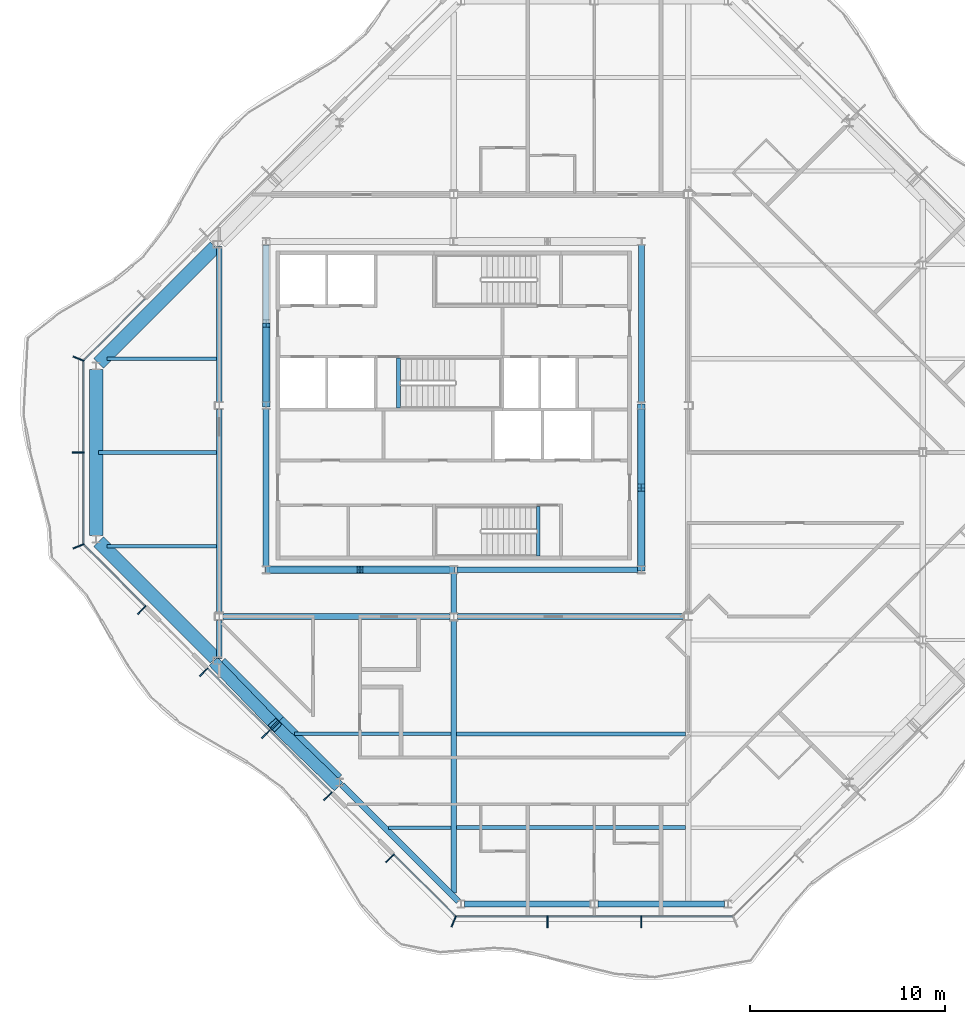
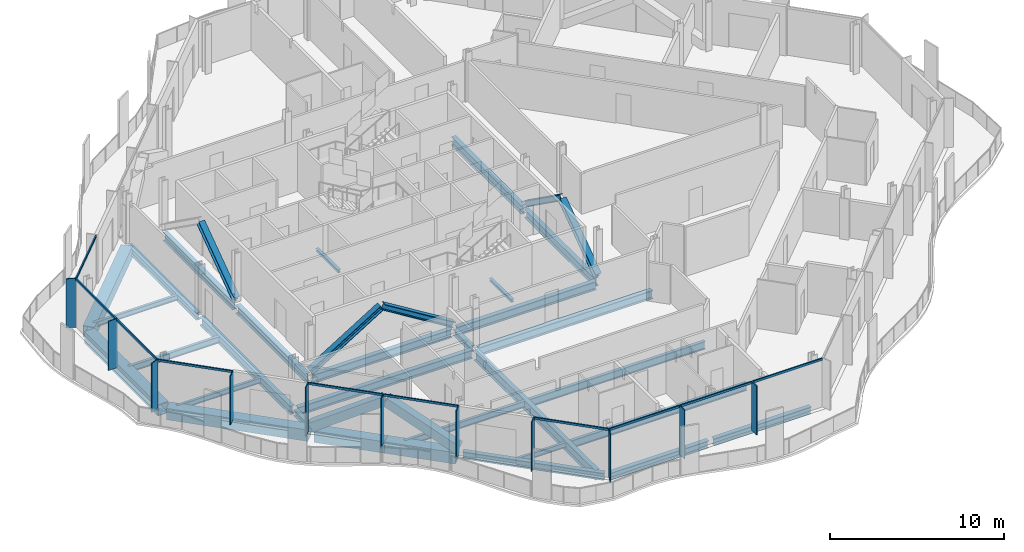
# One storey, part 3 of 17: 30 beams, 28 members, 4 elements without a shape of their own.
"""IFC4 building model written with IfcOpenShell, lengths in metres."""

from ifc_helpers import new_model, si_unit, direction, frame, origin, origin_2d, place, context, subcontext, project, spatial, rectangle, hollow_rectangle, i_section, extrude, material, material_profile, profile_set, type_object, element, aggregate, save


model = new_model("IFC4")

# Units and contexts
model_context = context("Model", 3, precision=1e-05, world=origin(), true_north=direction((0.0, 1.0)))
body_context = subcontext(model_context, "Body", "Model", "MODEL_VIEW")
ifc_project = project(units=[si_unit("LENGTHUNIT", "METRE"), si_unit("AREAUNIT", "SQUARE_METRE"), si_unit("VOLUMEUNIT", "CUBIC_METRE"), si_unit("PLANEANGLEUNIT", "RADIAN"), si_unit("MASSUNIT", "GRAM", prefix="KILO")], contexts=[model_context])

# Site, building, storey
site_placement = place(None, origin())
site = spatial("IfcSite", under=ifc_project, at=site_placement, CompositionType="ELEMENT")
building_placement = place(site_placement, origin())
building = spatial("IfcBuilding", under=site, at=building_placement, Name="Cairn Pilgrim Tower", CompositionType="ELEMENT")
storey_placement = place(building_placement, frame((0.0, 0.0, 270.60009765625)))
storey = spatial("IfcBuildingStorey", under=building, at=storey_placement, Name="L69", CompositionType="ELEMENT", Elevation=270.60009765625)

# Members
ifc_material_1 = material(Name="Structural steel S460M", Category="steel")
ifc_material_profile_1 = material_profile(ifc_material_1, hollow_rectangle(XDim=0.60009765625, YDim=0.60009765625, WallThickness=0.034912109375, at=origin_2d()), Name="BOX 600x600x35")
ifc_profile_set_1 = profile_set([ifc_material_profile_1], Name="Structural steel S460M")
member_type_1 = type_object("IfcMemberType", Name="BOX 600x600x35 BRACE", PredefinedType="BRACE", material=ifc_profile_set_1)
for number, where, z_axis, x_axis, name in (
    (1, (-4.9921875, -10.80908203125, 0.14990234375), (0.592528264357, -0.612497315066, 0.523218209713), (0.718725903967, 0.695293517132, 0.0), "XB-SW2-SW3-1"),
    (2, (1.19091796875, -16.9921875, 0.14990234375), (-0.612497315066, 0.592528264357, 0.523218209713), (-0.695293517132, -0.718725903967, 0.0), "XB-SW2-SW3-2"),
):
    element("IfcMember", number, at=place(storey_placement, frame(where, z_axis=z_axis, x_axis=x_axis)), inside=storey, type_object=member_type_1, Name=name, PredefinedType="BRACE", context=body_context, shape_type="SweptSolid", body=[
        extrude(hollow_rectangle(XDim=0.60009765625, YDim=0.60009765625, WallThickness=0.034912109375, at=origin_2d()), origin(), (0.0, 0.0, 1.0), 5.037109375),
    ])

# Beams
ifc_material_2 = material(Name="Structural steel S355J2", Category="steel")
ifc_material_profile_2 = material_profile(ifc_material_2, hollow_rectangle(XDim=0.699951171875, YDim=0.800048828125, WallThickness=0.0400390625, at=origin_2d()), Name="BOX 700x800x40")
ifc_profile_set_2 = profile_set([ifc_material_profile_2], Name="Structural steel S355J2")
beam_type_1 = type_object("IfcBeamType", Name="BOX 700x800x40 RING GIRDER", PredefinedType="SPANDREL", material=ifc_profile_set_2)
beam_1_placement = place(storey_placement, frame((-5.002685546875, 10.5244140625, -0.550048828125), z_axis=(-0.707106781187, -0.707106781187, 0.0), x_axis=(0.707106781187, -0.707106781187, 0.0)))
element("IfcBeam", 3, at=beam_1_placement, inside=storey, type_object=beam_type_1, Name="RG4-NW3-W1", PredefinedType="SPANDREL", context=body_context, shape_type="SweptSolid", body=[
    extrude(hollow_rectangle(XDim=0.699951171875, YDim=0.800048828125, WallThickness=0.0400390625, at=origin_2d()), origin(), (0.0, 0.0, 1.0), 8.443115234375),
])
beam_2_placement = place(storey_placement, frame((-11.10009765625, 4.247802734375, -0.550048828125), z_axis=(0.0, -1.0, 0.0), x_axis=(1.0, 0.0, 0.0)))
element("IfcBeam", 4, at=beam_2_placement, inside=storey, type_object=beam_type_1, Name="RG4-W1-SW1", PredefinedType="SPANDREL", context=body_context, shape_type="SweptSolid", body=[
    extrude(hollow_rectangle(XDim=0.699951171875, YDim=0.800048828125, WallThickness=0.0400390625, at=origin_2d()), origin(), (0.0, 0.0, 1.0), 8.49560546875),
])
beam_3_placement = place(storey_placement, frame((-10.972900390625, -4.55419921875, -0.550048828125), z_axis=(0.707106781187, -0.707106781187, 0.0), x_axis=(0.707106781187, 0.707106781187, 0.0)))
element("IfcBeam", 5, at=beam_3_placement, inside=storey, type_object=beam_type_1, Name="RG4-SW1-SW2", PredefinedType="SPANDREL", context=body_context, shape_type="SweptSolid", body=[
    extrude(hollow_rectangle(XDim=0.699951171875, YDim=0.800048828125, WallThickness=0.0400390625, at=origin_2d()), origin(), (0.0, 0.0, 1.0), 8.443115234375),
])
for number, where, z_axis, x_axis, name in (
    (6, (-4.748779296875, -10.7783203125, -0.550048828125), (0.707077865986, -0.707135695205, 0.0), (0.707135695205, 0.707077865986, 0.0), "RG4-SW2-SW3-1"),
    (7, (-1.763671875, -13.763671875, -0.550048828125), (0.707135695205, -0.707077865986, 0.0), (0.707077865986, 0.707135695205, 0.0), "RG4-SW2-SW3-2"),
):
    element("IfcBeam", number, at=place(storey_placement, frame(where, z_axis=z_axis, x_axis=x_axis)), inside=storey, type_object=beam_type_1, Name=name, PredefinedType="SPANDREL", context=body_context, shape_type="SweptSolid", body=[
        extrude(hollow_rectangle(XDim=0.699951171875, YDim=0.800048828125, WallThickness=0.0400390625, at=origin_2d()), origin(), (0.0, 0.0, 1.0), 4.2216796875),
    ])

# Curtain wall, members
ifc_material_3 = material(Name="Aluminium alloy 6063-T6 bronze anodised with Bronze tinted laminated low-E glass 8+16+8.8", Category="aluminium")
curtain_wall_type = type_object("IfcCurtainWallType", Name="CROWN CURTAIN WALL", PredefinedType="NOTDEFINED", material=ifc_material_3)
curtain_wall_1_placement = place(storey_placement, origin())
curtain_wall_1 = element("IfcCurtainWall", 8, at=curtain_wall_1_placement, inside=storey, type_object=curtain_wall_type, Name="Crown Curtain Wall S", PredefinedType="NOTDEFINED")
ifc_material_4 = material(Name="Aluminium alloy 6063-T6 bronze anodised", Category="aluminium")
ifc_material_profile_3 = material_profile(ifc_material_4, rectangle(XDim=0.60009765625, YDim=0.06005859375, at=origin_2d()), Name="FIN MULLION 60x600 BRONZE")
ifc_profile_set_3 = profile_set([ifc_material_profile_3], Name="Aluminium alloy 6063-T6 bronze anodised")
member_type_2 = type_object("IfcMemberType", Name="FIN MULLION 60x600 BRONZE", PredefinedType="MULLION", material=ifc_profile_set_3)
member_1_placement = place(storey_placement, frame((7.2001953125, -23.99951171875, 0.0), z_axis=(0.0, 0.0, 1.0), x_axis=(-0.382683432365, -0.923879532511, 0.0)))
member_1 = element("IfcMember", 9, at=member_1_placement, type_object=member_type_2, Name="Fin mullion S1", PredefinedType="MULLION", context=body_context, shape_type="SweptSolid", body=[
    extrude(rectangle(XDim=0.60009765625, YDim=0.06005859375, at=origin_2d()), origin(), (0.0, 0.0, 1.0), 3.449951171875),
])
member_2_placement = place(storey_placement, frame((12.0, -24.02001953125, 0.0), z_axis=(0.0, 0.0, 1.0), x_axis=(0.0, -1.0, 0.0)))
member_2 = element("IfcMember", 10, at=member_2_placement, type_object=member_type_2, Name="Fin mullion S2", PredefinedType="MULLION", context=body_context, shape_type="SweptSolid", body=[
    extrude(rectangle(XDim=0.60009765625, YDim=0.06005859375, at=origin_2d()), origin(), (0.0, 0.0, 1.0), 3.449951171875),
])
member_3_placement = place(storey_placement, frame((16.800048828125, -24.02001953125, 0.0), z_axis=(0.0, 0.0, 1.0), x_axis=(0.0, -1.0, 0.0)))
member_3 = element("IfcMember", 11, at=member_3_placement, type_object=member_type_2, Name="Fin mullion S3", PredefinedType="MULLION", context=body_context, shape_type="SweptSolid", body=[
    extrude(rectangle(XDim=0.60009765625, YDim=0.06005859375, at=origin_2d()), origin(), (0.0, 0.0, 1.0), 3.449951171875),
])

curtain_wall_2_placement = place(storey_placement, origin())
curtain_wall_2 = element("IfcCurtainWall", 12, at=curtain_wall_2_placement, inside=storey, type_object=curtain_wall_type, Name="Crown Curtain Wall W", PredefinedType="NOTDEFINED")
member_4_placement = place(storey_placement, frame((-11.99951171875, 4.7998046875, 0.0), z_axis=(0.0, 0.0, 1.0), x_axis=(-0.923879532511, 0.382683432365, 0.0)))
member_4 = element("IfcMember", 13, at=member_4_placement, type_object=member_type_2, Name="Fin mullion W1", PredefinedType="MULLION", context=body_context, shape_type="SweptSolid", body=[
    extrude(rectangle(XDim=0.60009765625, YDim=0.06005859375, at=origin_2d()), origin(), (0.0, 0.0, 1.0), 3.449951171875),
])
member_5_placement = place(storey_placement, frame((-12.02001953125, 0.0, 0.0), z_axis=(0.0, 0.0, 1.0), x_axis=(-1.0, 0.0, 0.0)))
member_5 = element("IfcMember", 14, at=member_5_placement, type_object=member_type_2, Name="Fin mullion W2", PredefinedType="MULLION", context=body_context, shape_type="SweptSolid", body=[
    extrude(rectangle(XDim=0.60009765625, YDim=0.06005859375, at=origin_2d()), origin(), (0.0, 0.0, 1.0), 3.449951171875),
])

curtain_wall_3_placement = place(storey_placement, origin())
curtain_wall_3 = element("IfcCurtainWall", 15, at=curtain_wall_3_placement, inside=storey, type_object=curtain_wall_type, Name="Crown Curtain Wall SW", PredefinedType="NOTDEFINED")
member_6_placement = place(storey_placement, frame((-11.99951171875, -4.7998046875, 0.0), z_axis=(0.0, 0.0, 1.0), x_axis=(-0.923879532511, -0.382683432365, 0.0)))
member_6 = element("IfcMember", 16, at=member_6_placement, type_object=member_type_2, Name="Fin mullion SW1", PredefinedType="MULLION", context=body_context, shape_type="SweptSolid", body=[
    extrude(rectangle(XDim=0.60009765625, YDim=0.06005859375, at=origin_2d()), origin(), (0.0, 0.0, 1.0), 3.449951171875),
])
member_7_placement = place(storey_placement, frame((-8.765380859375, -8.06298828125, 0.0), z_axis=(0.0, 0.0, 1.0), x_axis=(-0.707106781187, -0.707106781187, 0.0)))
member_7 = element("IfcMember", 17, at=member_7_placement, type_object=member_type_2, Name="Fin mullion SW2", PredefinedType="MULLION", context=body_context, shape_type="SweptSolid", body=[
    extrude(rectangle(XDim=0.60009765625, YDim=0.06005859375, at=origin_2d()), origin(), (0.0, 0.0, 1.0), 3.449951171875),
])
member_8_placement = place(storey_placement, frame((-5.58984375, -11.238525390625, 0.0), z_axis=(0.0, 0.0, 1.0), x_axis=(-0.707106781187, -0.707106781187, 0.0)))
member_8 = element("IfcMember", 18, at=member_8_placement, type_object=member_type_2, Name="Fin mullion SW3", PredefinedType="MULLION", context=body_context, shape_type="SweptSolid", body=[
    extrude(rectangle(XDim=0.60009765625, YDim=0.06005859375, at=origin_2d()), origin(), (0.0, 0.0, 1.0), 3.449951171875),
])
member_9_placement = place(storey_placement, frame((-2.4140625, -14.4140625, 0.0), z_axis=(0.0, 0.0, 1.0), x_axis=(-0.707106781187, -0.707106781187, 0.0)))
member_9 = element("IfcMember", 19, at=member_9_placement, type_object=member_type_2, Name="Fin mullion SW4", PredefinedType="MULLION", context=body_context, shape_type="SweptSolid", body=[
    extrude(rectangle(XDim=0.60009765625, YDim=0.06005859375, at=origin_2d()), origin(), (0.0, 0.0, 1.0), 3.449951171875),
])
member_10_placement = place(storey_placement, frame((0.761474609375, -17.58984375, 0.0), z_axis=(0.0, 0.0, 1.0), x_axis=(-0.707106781187, -0.707106781187, 0.0)))
member_10 = element("IfcMember", 20, at=member_10_placement, type_object=member_type_2, Name="Fin mullion SW5", PredefinedType="MULLION", context=body_context, shape_type="SweptSolid", body=[
    extrude(rectangle(XDim=0.60009765625, YDim=0.06005859375, at=origin_2d()), origin(), (0.0, 0.0, 1.0), 3.449951171875),
])
member_11_placement = place(storey_placement, frame((3.93701171875, -20.765380859375, 0.0), z_axis=(0.0, 0.0, 1.0), x_axis=(-0.707106781187, -0.707106781187, 0.0)))
member_11 = element("IfcMember", 21, at=member_11_placement, type_object=member_type_2, Name="Fin mullion SW6", PredefinedType="MULLION", context=body_context, shape_type="SweptSolid", body=[
    extrude(rectangle(XDim=0.60009765625, YDim=0.06005859375, at=origin_2d()), origin(), (0.0, 0.0, 1.0), 3.449951171875),
])

# Members
ifc_material_profile_4 = material_profile(ifc_material_2, i_section(OverallWidth=0.39794921875, OverallDepth=0.386962890625, WebThickness=0.02099609375, FlangeThickness=0.033203125, FilletRadius=0.014892578125, at=origin_2d()), Name="HD 400x262")
ifc_profile_set_4 = profile_set([ifc_material_profile_4], Name="Structural steel S355J2")
member_type_3 = type_object("IfcMemberType", Name="HD 400x262 BRACE", PredefinedType="BRACE", material=ifc_profile_set_4)
for number, where, z_axis, x_axis, name in (
    (22, (-2.360107421875, -6.0, 0.099853515625), (0.851197168056, 0.0, 0.524846054661), (0.0, 1.0, 0.0), "KB-1A"),
    (23, (7.16015625, -6.0, 0.099853515625), (-0.851197168056, 0.0, 0.524846054661), (0.0, -1.0, 0.0), "KB-1B"),
):
    element("IfcMember", number, at=place(storey_placement, frame(where, z_axis=z_axis, x_axis=x_axis)), inside=storey, type_object=member_type_3, Name=name, PredefinedType="BRACE", context=body_context, shape_type="SweptSolid", body=[
        extrude(i_section(OverallWidth=0.39794921875, OverallDepth=0.386962890625, WebThickness=0.02099609375, FlangeThickness=0.033203125, FilletRadius=0.014892578125, at=origin_2d()), origin(), (0.0, 0.0, 1.0), 5.52978515625),
    ])
for number, where, z_axis, x_axis, name in (
    (24, (16.800048828125, -5.960205078125, 0.099853515625), (0.0, 0.814462005215, 0.580216892258), (-1.0, 0.0, 0.0), "KB-2A"),
    (25, (16.800048828125, 2.360107421875, 0.099853515625), (0.0, -0.814462005215, 0.580216892258), (1.0, 0.0, 0.0), "KB-2B"),
    (26, (-2.39990234375, 2.439697265625, 0.099853515625), (0.0, 0.814462005215, 0.580216892258), (-1.0, 0.0, 0.0), "KB-4B"),
):
    element("IfcMember", number, at=place(storey_placement, frame(where, z_axis=z_axis, x_axis=x_axis)), inside=storey, type_object=member_type_3, Name=name, PredefinedType="BRACE", context=body_context, shape_type="SweptSolid", body=[
        extrude(i_section(OverallWidth=0.39794921875, OverallDepth=0.386962890625, WebThickness=0.02099609375, FlangeThickness=0.033203125, FilletRadius=0.014892578125, at=origin_2d()), origin(), (0.0, 0.0, 1.0), 4.999755859375),
    ])

# Beams
ifc_material_profile_5 = material_profile(ifc_material_2, i_section(OverallWidth=0.300048828125, OverallDepth=0.39990234375, WebThickness=0.013427734375, FlangeThickness=0.02392578125, FilletRadius=0.027099609375, at=origin_2d()), Name="HEB 400")
ifc_profile_set_5 = profile_set([ifc_material_profile_5], Name="Structural steel S355J2")
beam_type_2 = type_object("IfcBeamType", Name="HEB 400 GIRDER", PredefinedType="BEAM", material=ifc_profile_set_5)
beam_4_placement = place(storey_placement, frame((-4.800048828125, -10.545166015625, -0.35009765625), z_axis=(0.0, 1.0, 0.0), x_axis=(-1.0, 0.0, 0.0)))
element("IfcBeam", 27, at=beam_4_placement, inside=storey, type_object=beam_type_2, Name="PG2-E1", PredefinedType="BEAM", context=body_context, shape_type="SweptSolid", body=[
    extrude(i_section(OverallWidth=0.300048828125, OverallDepth=0.39990234375, WebThickness=0.013427734375, FlangeThickness=0.02392578125, FilletRadius=0.027099609375, at=origin_2d()), origin(), (0.0, 0.0, 1.0), 1.9482421875),
])
beam_5_placement = place(storey_placement, frame((7.199951171875, -8.202880859375, -0.35009765625), z_axis=(0.0, 1.0, 0.0), x_axis=(-1.0, 0.0, 0.0)))
element("IfcBeam", 28, at=beam_5_placement, inside=storey, type_object=beam_type_2, Name="PG3-E1", PredefinedType="BEAM", context=body_context, shape_type="SweptSolid", body=[
    extrude(i_section(OverallWidth=0.300048828125, OverallDepth=0.39990234375, WebThickness=0.013427734375, FlangeThickness=0.02392578125, FilletRadius=0.027099609375, at=origin_2d()), origin(), (0.0, 0.0, 1.0), 2.00390625),
])
ifc_material_profile_6 = material_profile(ifc_material_2, i_section(OverallWidth=0.300048828125, OverallDepth=0.5, WebThickness=0.014404296875, FlangeThickness=0.028076171875, FilletRadius=0.027099609375, at=origin_2d()), Name="HEB 500")
ifc_profile_set_6 = profile_set([ifc_material_profile_6], Name="Structural steel S355J2")
beam_type_3 = type_object("IfcBeamType", Name="HEB 500 GIRDER", PredefinedType="BEAM", material=ifc_profile_set_6)
beam_6_placement = place(storey_placement, frame((-4.800048828125, 2.596923828125, -0.400146484375), z_axis=(0.0, 1.0, 0.0), x_axis=(-1.0, 0.0, 0.0)))
element("IfcBeam", 29, at=beam_6_placement, inside=storey, type_object=beam_type_3, Name="PG2-2", PredefinedType="BEAM", context=body_context, shape_type="SweptSolid", body=[
    extrude(i_section(OverallWidth=0.300048828125, OverallDepth=0.5, WebThickness=0.014404296875, FlangeThickness=0.028076171875, FilletRadius=0.027099609375, at=origin_2d()), origin(), (0.0, 0.0, 1.0), 7.9482421875),
])
ifc_material_profile_7 = material_profile(ifc_material_2, i_section(OverallWidth=0.300048828125, OverallDepth=0.5, WebThickness=0.014404296875, FlangeThickness=0.028076171875, FilletRadius=0.027099609375, at=origin_2d()), Name="HEB 500")
ifc_profile_set_7 = profile_set([ifc_material_profile_7], Name="Structural steel S355J2")
beam_type_4 = type_object("IfcBeamType", Name="HEB 500 RING GIRDER", PredefinedType="SPANDREL", material=ifc_profile_set_7)
beam_7_placement = place(storey_placement, frame((7.752197265625, -23.10009765625, -0.400146484375), z_axis=(1.0, 0.0, 0.0), x_axis=(0.0, 1.0, 0.0)))
element("IfcBeam", 30, at=beam_7_placement, inside=storey, type_object=beam_type_4, Name="RG4-S1-S2", PredefinedType="SPANDREL", context=body_context, shape_type="SweptSolid", body=[
    extrude(i_section(OverallWidth=0.300048828125, OverallDepth=0.5, WebThickness=0.014404296875, FlangeThickness=0.028076171875, FilletRadius=0.027099609375, at=origin_2d()), origin(), (0.0, 0.0, 1.0), 6.46826171875),
])
beam_8_placement = place(storey_placement, frame((14.57958984375, -23.10009765625, -0.400146484375), z_axis=(1.0, 0.0, 0.0), x_axis=(0.0, 1.0, 0.0)))
element("IfcBeam", 31, at=beam_8_placement, inside=storey, type_object=beam_type_4, Name="RG4-S2-SE1", PredefinedType="SPANDREL", context=body_context, shape_type="SweptSolid", body=[
    extrude(i_section(OverallWidth=0.300048828125, OverallDepth=0.5, WebThickness=0.014404296875, FlangeThickness=0.028076171875, FilletRadius=0.027099609375, at=origin_2d()), origin(), (0.0, 0.0, 1.0), 6.468017578125),
])
beam_9_placement = place(storey_placement, frame((1.4755859375, -17.002685546875, -0.400146484375), z_axis=(0.707106781187, -0.707106781187, 0.0), x_axis=(0.707106781187, 0.707106781187, 0.0)))
element("IfcBeam", 32, at=beam_9_placement, inside=storey, type_object=beam_type_4, Name="RG4-SW3-S1", PredefinedType="SPANDREL", context=body_context, shape_type="SweptSolid", body=[
    extrude(i_section(OverallWidth=0.300048828125, OverallDepth=0.5, WebThickness=0.014404296875, FlangeThickness=0.028076171875, FilletRadius=0.027099609375, at=origin_2d()), origin(), (0.0, 0.0, 1.0), 8.443115234375),
])
ifc_material_profile_8 = material_profile(ifc_material_2, i_section(OverallWidth=0.300048828125, OverallDepth=0.60009765625, WebThickness=0.015380859375, FlangeThickness=0.030029296875, FilletRadius=0.027099609375, at=origin_2d()), Name="HEB 600")
ifc_profile_set_8 = profile_set([ifc_material_profile_8], Name="Structural steel S355J2")
beam_type_5 = type_object("IfcBeamType", Name="HEB 600 CORE BEAM", PredefinedType="BEAM", material=ifc_profile_set_8)
beam_10_placement = place(storey_placement, frame((-2.220947265625, -6.0, -0.4501953125), z_axis=(1.0, 0.0, 0.0), x_axis=(0.0, 1.0, 0.0)))
element("IfcBeam", 33, at=beam_10_placement, inside=storey, type_object=beam_type_5, Name="CB-1", PredefinedType="BEAM", context=body_context, shape_type="SweptSolid", body=[
    extrude(i_section(OverallWidth=0.300048828125, OverallDepth=0.60009765625, WebThickness=0.015380859375, FlangeThickness=0.030029296875, FilletRadius=0.027099609375, at=origin_2d()), origin(), (0.0, 0.0, 1.0), 9.241943359375),
])
beam_11_placement = place(storey_placement, frame((7.379150390625, -6.0, -0.4501953125), z_axis=(1.0, 0.0, 0.0), x_axis=(0.0, 1.0, 0.0)))
element("IfcBeam", 34, at=beam_11_placement, inside=storey, type_object=beam_type_5, Name="CB-2", PredefinedType="BEAM", context=body_context, shape_type="SweptSolid", body=[
    extrude(i_section(OverallWidth=0.300048828125, OverallDepth=0.60009765625, WebThickness=0.015380859375, FlangeThickness=0.030029296875, FilletRadius=0.027099609375, at=origin_2d()), origin(), (0.0, 0.0, 1.0), 9.24169921875),
])
for number, where, z_axis, x_axis, name in (
    (35, (16.800048828125, -5.82080078125, -0.4501953125), (0.0, 1.0, 0.0), (-1.0, 0.0, 0.0), "CB-3"),
    (36, (16.800048828125, 2.5791015625, -0.4501953125), (0.0, 1.0, 0.0), (-1.0, 0.0, 0.0), "CB-4"),
    (37, (-2.39990234375, 10.620849609375, -0.4501953125), (0.0, -1.0, 0.0), (1.0, 0.0, 0.0), "CB-7"),
    (38, (-2.39990234375, 2.220947265625, -0.4501953125), (0.0, -1.0, 0.0), (1.0, 0.0, 0.0), "CB-8"),
):
    element("IfcBeam", number, at=place(storey_placement, frame(where, z_axis=z_axis, x_axis=x_axis)), inside=storey, type_object=beam_type_5, Name=name, PredefinedType="BEAM", context=body_context, shape_type="SweptSolid", body=[
        extrude(i_section(OverallWidth=0.300048828125, OverallDepth=0.60009765625, WebThickness=0.015380859375, FlangeThickness=0.030029296875, FilletRadius=0.027099609375, at=origin_2d()), origin(), (0.0, 0.0, 1.0), 8.041748046875),
    ])
ifc_material_profile_9 = material_profile(ifc_material_2, i_section(OverallWidth=0.300048828125, OverallDepth=0.60009765625, WebThickness=0.015380859375, FlangeThickness=0.030029296875, FilletRadius=0.027099609375, at=origin_2d()), Name="HEB 600")
ifc_profile_set_9 = profile_set([ifc_material_profile_9], Name="Structural steel S355J2")
beam_type_6 = type_object("IfcBeamType", Name="HEB 600 GIRDER", PredefinedType="BEAM", material=ifc_profile_set_9)
beam_12_placement = place(storey_placement, frame((-4.800048828125, -8.202880859375, -0.4501953125), z_axis=(0.0, 1.0, 0.0), x_axis=(-1.0, 0.0, 0.0)))
element("IfcBeam", 39, at=beam_12_placement, inside=storey, type_object=beam_type_6, Name="PG2-1", PredefinedType="BEAM", context=body_context, shape_type="SweptSolid", body=[
    extrude(i_section(OverallWidth=0.300048828125, OverallDepth=0.60009765625, WebThickness=0.015380859375, FlangeThickness=0.030029296875, FilletRadius=0.027099609375, at=origin_2d()), origin(), (0.0, 0.0, 1.0), 10.40576171875),
])
ifc_material_profile_10 = material_profile(ifc_material_2, i_section(OverallWidth=0.300048828125, OverallDepth=0.60009765625, WebThickness=0.015380859375, FlangeThickness=0.030029296875, FilletRadius=0.027099609375, at=origin_2d()), Name="HEB 600")
ifc_profile_set_10 = profile_set([ifc_material_profile_10], Name="Structural steel S355J2")
beam_type_7 = type_object("IfcBeamType", Name="HEB 600 INNER GIRDER", PredefinedType="BEAM", material=ifc_profile_set_10)
for number, where, z_axis, x_axis, name in (
    (40, (-4.60302734375, -8.39990234375, -0.4501953125), (1.0, 0.0, 0.0), (0.0, 1.0, 0.0), "IG1-1"),
    (41, (7.39697265625, -8.39990234375, -0.4501953125), (1.0, 0.0, 0.0), (0.0, 1.0, 0.0), "IG1-2"),
):
    element("IfcBeam", number, at=place(storey_placement, frame(where, z_axis=z_axis, x_axis=x_axis)), inside=storey, type_object=beam_type_7, Name=name, PredefinedType="BEAM", context=body_context, shape_type="SweptSolid", body=[
        extrude(i_section(OverallWidth=0.300048828125, OverallDepth=0.60009765625, WebThickness=0.015380859375, FlangeThickness=0.030029296875, FilletRadius=0.027099609375, at=origin_2d()), origin(), (0.0, 0.0, 1.0), 11.60595703125),
    ])
ifc_material_profile_11 = material_profile(ifc_material_2, i_section(OverallWidth=0.300048828125, OverallDepth=0.699951171875, WebThickness=0.01708984375, FlangeThickness=0.031982421875, FilletRadius=0.027099609375, at=origin_2d()), Name="HEB 700")
ifc_profile_set_11 = profile_set([ifc_material_profile_11], Name="Structural steel S355J2")
beam_type_8 = type_object("IfcBeamType", Name="HEB 700 GIRDER", PredefinedType="BEAM", material=ifc_profile_set_11)
beam_13_placement = place(storey_placement, frame((7.199951171875, -22.545166015625, -0.5), z_axis=(0.0, 1.0, 0.0), x_axis=(-1.0, 0.0, 0.0)))
element("IfcBeam", 42, at=beam_13_placement, inside=storey, type_object=beam_type_8, Name="PG3-1", PredefinedType="BEAM", context=body_context, shape_type="SweptSolid", body=[
    extrude(i_section(OverallWidth=0.300048828125, OverallDepth=0.699951171875, WebThickness=0.01708984375, FlangeThickness=0.031982421875, FilletRadius=0.027099609375, at=origin_2d()), origin(), (0.0, 0.0, 1.0), 13.9482421875),
])
ifc_material_profile_12 = material_profile(ifc_material_2, i_section(OverallWidth=0.169921875, OverallDepth=0.360107421875, WebThickness=0.008056640625, FlangeThickness=0.0126953125, FilletRadius=0.01806640625, at=origin_2d()), Name="IPE 360")
ifc_profile_set_12 = profile_set([ifc_material_profile_12], Name="Structural steel S355J2")
beam_type_9 = type_object("IfcBeamType", Name="IPE 360 SECONDARY BEAM", PredefinedType="JOIST", material=ifc_profile_set_12)
beam_14_placement = place(storey_placement, frame((3.85498046875, -19.199951171875, -0.330078125), z_axis=(1.0, 0.0, 0.0), x_axis=(0.0, 1.0, 0.0)))
element("IfcBeam", 43, at=beam_14_placement, inside=storey, type_object=beam_type_9, Name="SB1-1", PredefinedType="JOIST", context=body_context, shape_type="SweptSolid", body=[
    extrude(i_section(OverallWidth=0.169921875, OverallDepth=0.360107421875, WebThickness=0.008056640625, FlangeThickness=0.0126953125, FilletRadius=0.01806640625, at=origin_2d()), origin(), (0.0, 0.0, 1.0), 3.195068359375),
])
for number, where, z_axis, x_axis, name in (
    (44, (-10.545166015625, -4.800048828125, -0.330078125), (1.0, 0.0, 0.0), (0.0, 1.0, 0.0), "SB4-1"),
    (45, (-10.545166015625, 4.800048828125, -0.330078125), (1.0, 0.0, 0.0), (0.0, 1.0, 0.0), "SB6-1"),
):
    element("IfcBeam", number, at=place(storey_placement, frame(where, z_axis=z_axis, x_axis=x_axis)), inside=storey, type_object=beam_type_9, Name=name, PredefinedType="JOIST", context=body_context, shape_type="SweptSolid", body=[
        extrude(i_section(OverallWidth=0.169921875, OverallDepth=0.360107421875, WebThickness=0.008056640625, FlangeThickness=0.0126953125, FilletRadius=0.01806640625, at=origin_2d()), origin(), (0.0, 0.0, 1.0), 5.59521484375),
    ])
ifc_material_profile_13 = material_profile(ifc_material_2, i_section(OverallWidth=0.18994140625, OverallDepth=0.449951171875, WebThickness=0.009521484375, FlangeThickness=0.0146484375, FilletRadius=0.02099609375, at=origin_2d()), Name="IPE 450")
ifc_profile_set_13 = profile_set([ifc_material_profile_13], Name="Structural steel S355J2")
beam_type_10 = type_object("IfcBeamType", Name="IPE 450 SECONDARY BEAM", PredefinedType="JOIST", material=ifc_profile_set_13)
beam_15_placement = place(storey_placement, frame((-0.945068359375, -14.39990234375, -0.375), z_axis=(1.0, 0.0, 0.0), x_axis=(0.0, 1.0, 0.0)))
element("IfcBeam", 46, at=beam_15_placement, inside=storey, type_object=beam_type_10, Name="SB2-1", PredefinedType="JOIST", context=body_context, shape_type="SweptSolid", body=[
    extrude(i_section(OverallWidth=0.18994140625, OverallDepth=0.449951171875, WebThickness=0.009521484375, FlangeThickness=0.0146484375, FilletRadius=0.02099609375, at=origin_2d()), origin(), (0.0, 0.0, 1.0), 7.9951171875),
])
beam_16_placement = place(storey_placement, frame((-10.97998046875, 0.0, -0.375), z_axis=(1.0, 0.0, 0.0), x_axis=(0.0, 1.0, 0.0)))
element("IfcBeam", 47, at=beam_16_placement, inside=storey, type_object=beam_type_10, Name="SB5-1", PredefinedType="JOIST", context=body_context, shape_type="SweptSolid", body=[
    extrude(i_section(OverallWidth=0.18994140625, OverallDepth=0.449951171875, WebThickness=0.009521484375, FlangeThickness=0.0146484375, FilletRadius=0.02099609375, at=origin_2d()), origin(), (0.0, 0.0, 1.0), 6.030029296875),
])
ifc_material_profile_14 = material_profile(ifc_material_2, i_section(OverallWidth=0.2099609375, OverallDepth=0.550048828125, WebThickness=0.010986328125, FlangeThickness=0.01708984375, FilletRadius=0.02392578125, at=origin_2d()), Name="IPE 550")
ifc_profile_set_14 = profile_set([ifc_material_profile_14], Name="Structural steel S355J2")
beam_type_11 = type_object("IfcBeamType", Name="IPE 550 SECONDARY BEAM", PredefinedType="JOIST", material=ifc_profile_set_14)
for number, where, z_axis, x_axis, name in (
    (48, (7.35009765625, -19.199951171875, -0.425048828125), (1.0, 0.0, 0.0), (0.0, 1.0, 0.0), "SB1-2"),
    (49, (7.35009765625, -14.39990234375, -0.425048828125), (1.0, 0.0, 0.0), (0.0, 1.0, 0.0), "SB2-2"),
):
    element("IfcBeam", number, at=place(storey_placement, frame(where, z_axis=z_axis, x_axis=x_axis)), inside=storey, type_object=beam_type_11, Name=name, PredefinedType="JOIST", context=body_context, shape_type="SweptSolid", body=[
        extrude(i_section(OverallWidth=0.2099609375, OverallDepth=0.550048828125, WebThickness=0.010986328125, FlangeThickness=0.01708984375, FilletRadius=0.02392578125, at=origin_2d()), origin(), (0.0, 0.0, 1.0), 11.699951171875),
    ])
ifc_material_profile_15 = material_profile(ifc_material_2, i_section(OverallWidth=0.199951171875, OverallDepth=0.199951171875, WebThickness=0.009033203125, FlangeThickness=0.014892578125, FilletRadius=0.01806640625, at=origin_2d()), Name="HE 200 B")
ifc_profile_set_15 = profile_set([ifc_material_profile_15], Name="Structural steel S355J2")
beam_type_12 = type_object("IfcBeamType", Name="STAIR LANDING BEAM HE 200 B", PredefinedType="BEAM", material=ifc_profile_set_15)
beam_17_placement = place(storey_placement, frame((11.5244140625, -2.77490234375, -0.25), z_axis=(0.0, -1.0, 0.0), x_axis=(1.0, 0.0, 0.0)))
element("IfcBeam", 50, at=beam_17_placement, inside=storey, type_object=beam_type_12, Name="STAIR LANDING BEAM LD-HE200B", PredefinedType="BEAM", context=body_context, shape_type="SweptSolid", body=[
    extrude(i_section(OverallWidth=0.199951171875, OverallDepth=0.199951171875, WebThickness=0.009033203125, FlangeThickness=0.014892578125, FilletRadius=0.01806640625, at=origin_2d()), origin(), (0.0, 0.0, 1.0), 2.525146484375),
])
beam_18_placement = place(storey_placement, frame((4.37548828125, 2.27490234375, -0.25), z_axis=(0.0, 1.0, 0.0), x_axis=(-1.0, 0.0, 0.0)))
element("IfcBeam", 51, at=beam_18_placement, inside=storey, type_object=beam_type_12, Name="STAIR LANDING BEAM LD-HE200B", PredefinedType="BEAM", context=body_context, shape_type="SweptSolid", body=[
    extrude(i_section(OverallWidth=0.199951171875, OverallDepth=0.199951171875, WebThickness=0.009033203125, FlangeThickness=0.014892578125, FilletRadius=0.01806640625, at=origin_2d()), origin(), (0.0, 0.0, 1.0), 2.550048828125),
])

# Member
ifc_material_profile_16 = material_profile(ifc_material_4, rectangle(XDim=0.080078125, YDim=0.14990234375, at=origin_2d()), Name="TRANSOM 80x150 BRONZE")
ifc_profile_set_16 = profile_set([ifc_material_profile_16], Name="Aluminium alloy 6063-T6 bronze anodised")
member_type_4 = type_object("IfcMemberType", Name="TRANSOM 80x150 BRONZE", PredefinedType="USERDEFINED", material=ifc_profile_set_16)
member_12_placement = place(storey_placement, frame((7.343505859375, -23.75, 3.375), z_axis=(1.0, 0.0, 0.0), x_axis=(0.0, 1.0, 0.0)))
member_12 = element("IfcMember", 52, at=member_12_placement, type_object=member_type_4, Name="Transom S1", ObjectType="TRANSOM", PredefinedType="USERDEFINED", context=body_context, shape_type="SweptSolid", body=[
    extrude(rectangle(XDim=0.080078125, YDim=0.14990234375, at=origin_2d()), origin(), (0.0, 0.0, 1.0), 4.62646484375),
])

member_13_placement = place(storey_placement, frame((12.030029296875, -23.75, 3.375), z_axis=(1.0, 0.0, 0.0), x_axis=(0.0, 1.0, 0.0)))
member_13 = element("IfcMember", 53, at=member_13_placement, type_object=member_type_4, Name="Transom S2", ObjectType="TRANSOM", PredefinedType="USERDEFINED", context=body_context, shape_type="SweptSolid", body=[
    extrude(rectangle(XDim=0.080078125, YDim=0.14990234375, at=origin_2d()), origin(), (0.0, 0.0, 1.0), 4.739990234375),
])

member_14_placement = place(storey_placement, frame((16.830078125, -23.75, 3.375), z_axis=(1.0, 0.0, 0.0), x_axis=(0.0, 1.0, 0.0)))
member_14 = element("IfcMember", 54, at=member_14_placement, type_object=member_type_4, Name="Transom S3", ObjectType="TRANSOM", PredefinedType="USERDEFINED", context=body_context, shape_type="SweptSolid", body=[
    extrude(rectangle(XDim=0.080078125, YDim=0.14990234375, at=origin_2d()), origin(), (0.0, 0.0, 1.0), 4.62646484375),
])

aggregate(curtain_wall_1, [member_1, member_2, member_3, member_12, member_13, member_14])

# Curtain wall, member
curtain_wall_4_placement = place(storey_placement, origin())
curtain_wall_4 = element("IfcCurtainWall", 55, at=curtain_wall_4_placement, inside=storey, type_object=curtain_wall_type, Name="Crown Curtain Wall NW", PredefinedType="NOTDEFINED")
member_15_placement = place(storey_placement, frame((-8.595703125, 7.850830078125, 3.375), z_axis=(-0.707079168996, -0.707134392299, 0.0), x_axis=(0.707134392299, -0.707079168996, 0.0)))
member_15 = element("IfcMember", 56, at=member_15_placement, type_object=member_type_4, Name="Transom NW6", ObjectType="TRANSOM", PredefinedType="USERDEFINED", context=body_context, shape_type="SweptSolid", body=[
    extrude(rectangle(XDim=0.080078125, YDim=0.14990234375, at=origin_2d()), origin(), (0.0, 0.0, 1.0), 4.4208984375),
])
aggregate(curtain_wall_4, [member_15])

# Member
member_16_placement = place(storey_placement, frame((-11.75, 4.656494140625, 3.375), z_axis=(0.0, -1.0, 0.0), x_axis=(1.0, 0.0, 0.0)))
member_16 = element("IfcMember", 57, at=member_16_placement, type_object=member_type_4, Name="Transom W1", ObjectType="TRANSOM", PredefinedType="USERDEFINED", context=body_context, shape_type="SweptSolid", body=[
    extrude(rectangle(XDim=0.080078125, YDim=0.14990234375, at=origin_2d()), origin(), (0.0, 0.0, 1.0), 4.62646484375),
])

member_17_placement = place(storey_placement, frame((-11.75, -0.030029296875, 3.375), z_axis=(0.0, -1.0, 0.0), x_axis=(1.0, 0.0, 0.0)))
member_17 = element("IfcMember", 58, at=member_17_placement, type_object=member_type_4, Name="Transom W2", ObjectType="TRANSOM", PredefinedType="USERDEFINED", context=body_context, shape_type="SweptSolid", body=[
    extrude(rectangle(XDim=0.080078125, YDim=0.14990234375, at=origin_2d()), origin(), (0.0, 0.0, 1.0), 4.62646484375),
])

aggregate(curtain_wall_2, [member_4, member_5, member_16, member_17])

member_18_placement = place(storey_placement, frame((-11.7216796875, -4.724609375, 3.375), z_axis=(0.707079168996, -0.707134392299, 0.0), x_axis=(0.707134392299, 0.707079168996, 0.0)))
member_18 = element("IfcMember", 59, at=member_18_placement, type_object=member_type_4, Name="Transom SW1", ObjectType="TRANSOM", PredefinedType="USERDEFINED", context=body_context, shape_type="SweptSolid", body=[
    extrude(rectangle(XDim=0.080078125, YDim=0.14990234375, at=origin_2d()), origin(), (0.0, 0.0, 1.0), 4.4208984375),
])

member_19_placement = place(storey_placement, frame((-5.377685546875, -11.06884765625, 3.375), z_axis=(0.707134329907, -0.707079231393, 0.0), x_axis=(0.707079231393, 0.707134329907, 0.0)))
member_19 = element("IfcMember", 60, at=member_19_placement, type_object=member_type_4, Name="Transom SW3", ObjectType="TRANSOM", PredefinedType="USERDEFINED", context=body_context, shape_type="SweptSolid", body=[
    extrude(rectangle(XDim=0.080078125, YDim=0.14990234375, at=origin_2d()), origin(), (0.0, 0.0, 1.0), 4.430908203125),
])

member_20_placement = place(storey_placement, frame((-2.201904296875, -14.244384765625, 3.375), z_axis=(0.707079231393, -0.707134329907, 0.0), x_axis=(0.707134329907, 0.707079231393, 0.0)))
member_20 = element("IfcMember", 61, at=member_20_placement, type_object=member_type_4, Name="Transom SW4", ObjectType="TRANSOM", PredefinedType="USERDEFINED", context=body_context, shape_type="SweptSolid", body=[
    extrude(rectangle(XDim=0.080078125, YDim=0.14990234375, at=origin_2d()), origin(), (0.0, 0.0, 1.0), 4.430908203125),
])

member_21_placement = place(storey_placement, frame((4.149169921875, -20.595703125, 3.375), z_axis=(0.707134392299, -0.707079168996, 0.0), x_axis=(0.707079168996, 0.707134392299, 0.0)))
member_21 = element("IfcMember", 62, at=member_21_placement, type_object=member_type_4, Name="Transom SW6", ObjectType="TRANSOM", PredefinedType="USERDEFINED", context=body_context, shape_type="SweptSolid", body=[
    extrude(rectangle(XDim=0.080078125, YDim=0.14990234375, at=origin_2d()), origin(), (0.0, 0.0, 1.0), 4.4208984375),
])

aggregate(curtain_wall_3, [member_6, member_7, member_8, member_9, member_10, member_11, member_18, member_19, member_20, member_21])

save(model, "model.ifc")
